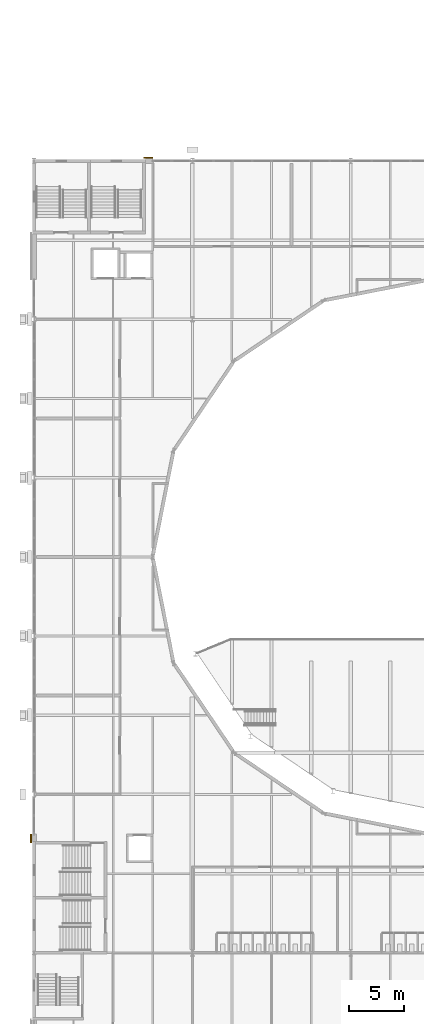
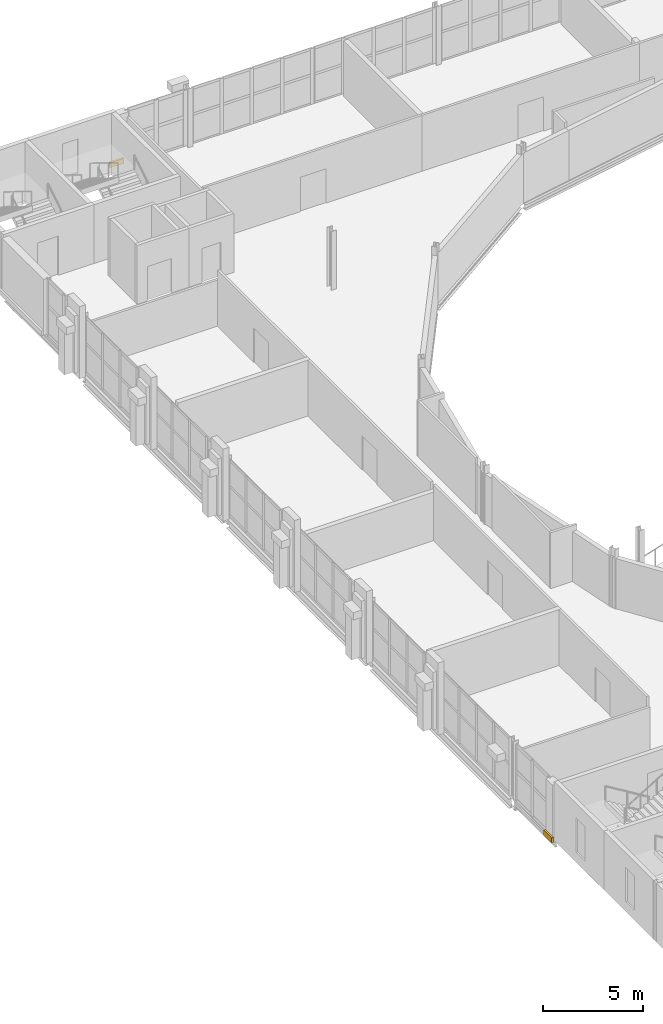
# One storey, part 121 of 124: 2 coverings.
"""IFC4 building model written with IfcOpenShell, lengths in metres."""

from ifc_helpers import new_model, si_unit, direction, frame, origin, origin_2d, place, context, subcontext, project, spatial, rectangle, extrude, material, layer, layer_set, type_object, element, save


model = new_model("IFC4")

# Units and contexts
model_context = context("Model", 3, precision=1e-05, world=origin(), true_north=direction((0.0, 1.0)))
body_context = subcontext(model_context, "Body", "Model", "MODEL_VIEW")
ifc_project = project(units=[si_unit("LENGTHUNIT", "METRE"), si_unit("AREAUNIT", "SQUARE_METRE"), si_unit("VOLUMEUNIT", "CUBIC_METRE"), si_unit("PLANEANGLEUNIT", "RADIAN"), si_unit("MASSUNIT", "GRAM", prefix="KILO")], contexts=[model_context])

# Site, building, storey
site_placement = place(None, origin())
site = spatial("IfcSite", under=ifc_project, at=site_placement, CompositionType="ELEMENT")
building_placement = place(site_placement, origin())
building = spatial("IfcBuilding", under=site, at=building_placement, Name="Kupolbacken Congress Centre", CompositionType="ELEMENT")
storey_placement = place(building_placement, frame((0.0, 0.0, 10.800048828125)))
storey = spatial("IfcBuildingStorey", under=building, at=storey_placement, Name="L03", CompositionType="ELEMENT", Elevation=10.800048828125)

# Coverings
ifc_material = material(Name="Limestone cladding", Category="masonry")
ifc_layer = layer(ifc_material, 0.1201171875)
ifc_layer_set = layer_set([ifc_layer], Name="Limestone cladding")
covering_type = type_object("IfcCoveringType", Name="CV1 limestone cladding band 120", PredefinedType="CLADDING", material=ifc_layer_set)
for number, where, z_axis, x_axis, name in (
    (1, (17.60009765625, 122.679931640625, 0.0), (0.0, 0.0, 1.0), (-1.0, 0.0, 0.0), "E/P/N/L03/381/band"),
    (2, (6.919921875, 60.800048828125, 0.0), (0.0, 0.0, 1.0), (0.0, -1.0, 0.0), "E/P/W/L03/394/band"),
):
    element("IfcCovering", number, at=place(storey_placement, frame(where, z_axis=z_axis, x_axis=x_axis)), inside=storey, type_object=covering_type, Name=name, PredefinedType="CLADDING", context=body_context, shape_type="SweptSolid", body=[
        extrude(rectangle(XDim=0.800048828125, YDim=0.1201171875, at=origin_2d()), origin(), (0.0, 0.0, 1.0), 0.300048828125),
    ])

save(model, "model.ifc")
